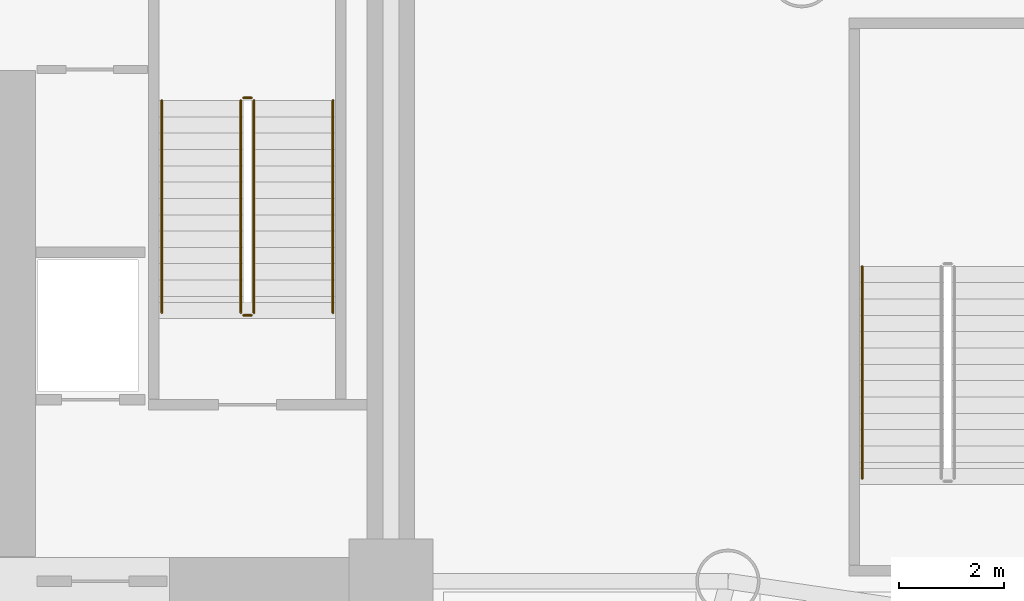
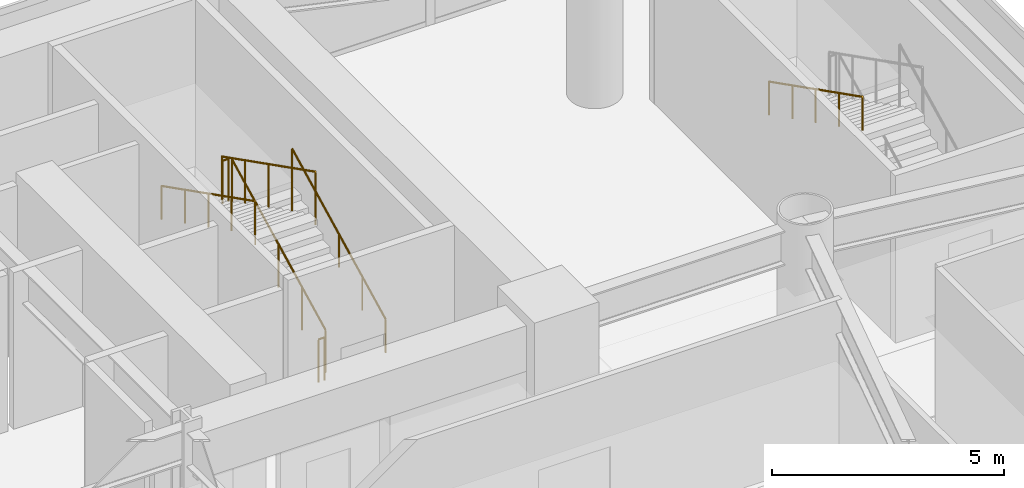
# One storey, part 22 of 24: 7 railings.
"""IFC4 building model written with IfcOpenShell, lengths in metres."""

from ifc_helpers import new_model, si_unit, direction, frame, origin, origin_2d, place, context, subcontext, project, spatial, circle, extrude, material, type_object, element, save


model = new_model("IFC4")

# Units and contexts
model_context = context("Model", 3, precision=1e-05, world=origin(), true_north=direction((0.0, 1.0)))
body_context = subcontext(model_context, "Body", "Model", "MODEL_VIEW")
ifc_project = project(units=[si_unit("LENGTHUNIT", "METRE"), si_unit("AREAUNIT", "SQUARE_METRE"), si_unit("VOLUMEUNIT", "CUBIC_METRE"), si_unit("PLANEANGLEUNIT", "RADIAN"), si_unit("MASSUNIT", "GRAM", prefix="KILO")], contexts=[model_context])

# Site, building, storey
site_placement = place(None, origin())
site = spatial("IfcSite", under=ifc_project, at=site_placement, CompositionType="ELEMENT")
building_placement = place(site_placement, origin())
building = spatial("IfcBuilding", under=site, at=building_placement, Name="Vaeldorn Concourse Tower", CompositionType="ELEMENT")
storey_placement = place(building_placement, frame((0.0, 0.0, 10.0)))
storey = spatial("IfcBuildingStorey", under=building, at=storey_placement, Name="L02", CompositionType="ELEMENT", Elevation=10.0)

# Railings
ifc_material = material(Name="Anodised Bronze Aluminium", Category="aluminium")
railing_type_1 = type_object("IfcRailingType", Name="RL-STAIR-GUARD", PredefinedType="GUARDRAIL", material=ifc_material)
railing_1_placement = place(storey_placement, frame((51.39990234375, 41.60009765625, 0.1572265625)))
element("IfcRailing", 1, at=railing_1_placement, inside=storey, type_object=railing_type_1, Name="L02 ST-2 stair guard 1", PredefinedType="GUARDRAIL", context=body_context, shape_type="SweptSolid", body=[
    extrude(circle(Radius=0.02392578125, at=origin_2d()), frame((0.0, 0.0, 1.1259765625), z_axis=(0.0, 0.891949485669, 0.452135062801), x_axis=(-1.0, 0.0, 0.0)), (0.0, 0.0, 1.0), 4.51806640625),
    extrude(circle(Radius=0.02099609375, at=origin_2d()), origin(), (0.0, 0.0, 1.0), 1.101806640625),
    extrude(circle(Radius=0.02099609375, at=origin_2d()), frame((0.0, 1.00732421875, 0.5107421875)), (0.0, 0.0, 1.0), 1.101806640625),
    extrude(circle(Radius=0.02099609375, at=origin_2d()), frame((0.0, 2.014892578125, 1.021484375)), (0.0, 0.0, 1.0), 1.101806640625),
    extrude(circle(Radius=0.02099609375, at=origin_2d()), frame((0.0, 3.0224609375, 1.531982421875)), (0.0, 0.0, 1.0), 1.101806640625),
    extrude(circle(Radius=0.02099609375, at=origin_2d()), frame((0.0, 4.02978515625, 2.042724609375)), (0.0, 0.0, 1.0), 1.101806640625),
])
railing_2_placement = place(storey_placement, frame((51.35009765625, 45.679931640625, 2.199951171875)))
element("IfcRailing", 2, at=railing_2_placement, inside=storey, type_object=railing_type_1, Name="L02 ST-2 stair guard 2", PredefinedType="GUARDRAIL", context=body_context, shape_type="SweptSolid", body=[
    extrude(circle(Radius=0.02392578125, at=origin_2d()), frame((0.0, 0.0, 1.1259765625), z_axis=(-1.0, 0.0, 0.0), x_axis=(0.0, -1.0, 0.0)), (0.0, 0.0, 1.0), 0.150146484375),
    extrude(circle(Radius=0.02099609375, at=origin_2d()), origin(), (0.0, 0.0, 1.0), 1.101806640625),
    extrude(circle(Radius=0.02099609375, at=origin_2d()), frame((-0.150146484375, 0.0, 0.0)), (0.0, 0.0, 1.0), 1.101806640625),
])
railing_3_placement = place(storey_placement, frame((51.14990234375, 45.6298828125, 2.357177734375)))
element("IfcRailing", 3, at=railing_3_placement, inside=storey, type_object=railing_type_1, Name="L02 ST-2 stair guard 3", PredefinedType="GUARDRAIL", context=body_context, shape_type="SweptSolid", body=[
    extrude(circle(Radius=0.02392578125, at=origin_2d()), frame((0.0, 0.0, 1.1259765625), z_axis=(0.0, -0.891949485669, 0.452135062801), x_axis=(1.0, 0.0, 0.0)), (0.0, 0.0, 1.0), 4.51806640625),
    extrude(circle(Radius=0.02099609375, at=origin_2d()), origin(), (0.0, 0.0, 1.0), 1.101806640625),
    extrude(circle(Radius=0.02099609375, at=origin_2d()), frame((0.0, -1.00732421875, 0.5107421875)), (0.0, 0.0, 1.0), 1.101806640625),
    extrude(circle(Radius=0.02099609375, at=origin_2d()), frame((0.0, -2.014892578125, 1.021484375)), (0.0, 0.0, 1.0), 1.101806640625),
    extrude(circle(Radius=0.02099609375, at=origin_2d()), frame((0.0, -3.0224609375, 1.531982421875)), (0.0, 0.0, 1.0), 1.101806640625),
    extrude(circle(Radius=0.02099609375, at=origin_2d()), frame((0.0, -4.02978515625, 2.042724609375)), (0.0, 0.0, 1.0), 1.101806640625),
])
railing_4_placement = place(storey_placement, frame((51.35009765625, 41.550048828125, 0.0)))
element("IfcRailing", 4, at=railing_4_placement, inside=storey, type_object=railing_type_1, Name="L02 ST-2 stair guard 4", PredefinedType="GUARDRAIL", context=body_context, shape_type="SweptSolid", body=[
    extrude(circle(Radius=0.02392578125, at=origin_2d()), frame((0.0, 0.0, 1.1259765625), z_axis=(-1.0, 0.0, 0.0), x_axis=(0.0, -1.0, 0.0)), (0.0, 0.0, 1.0), 0.150146484375),
    extrude(circle(Radius=0.02099609375, at=origin_2d()), origin(), (0.0, 0.0, 1.0), 1.101806640625),
    extrude(circle(Radius=0.02099609375, at=origin_2d()), frame((-0.150146484375, 0.0, 0.0)), (0.0, 0.0, 1.0), 1.101806640625),
])
railing_type_2 = type_object("IfcRailingType", Name="RL-STAIR-HANDRAIL", PredefinedType="HANDRAIL", material=ifc_material)
railing_5_placement = place(storey_placement, frame((52.89990234375, 41.60009765625, 0.1572265625)))
element("IfcRailing", 5, at=railing_5_placement, inside=storey, type_object=railing_type_2, Name="L02 ST-2 stair handrail 1", PredefinedType="HANDRAIL", context=body_context, shape_type="SweptSolid", body=[
    extrude(circle(Radius=0.02392578125, at=origin_2d()), frame((0.0, 0.0, 0.8759765625), z_axis=(0.0, 0.891949485669, 0.452135062801), x_axis=(-1.0, 0.0, 0.0)), (0.0, 0.0, 1.0), 4.51806640625),
    extrude(circle(Radius=0.02099609375, at=origin_2d()), origin(), (0.0, 0.0, 1.0), 0.851806640625),
    extrude(circle(Radius=0.02099609375, at=origin_2d()), frame((0.0, 1.00732421875, 0.5107421875)), (0.0, 0.0, 1.0), 0.851806640625),
    extrude(circle(Radius=0.02099609375, at=origin_2d()), frame((0.0, 2.014892578125, 1.021484375)), (0.0, 0.0, 1.0), 0.851806640625),
    extrude(circle(Radius=0.02099609375, at=origin_2d()), frame((0.0, 3.0224609375, 1.531982421875)), (0.0, 0.0, 1.0), 0.851806640625),
    extrude(circle(Radius=0.02099609375, at=origin_2d()), frame((0.0, 4.02978515625, 2.042724609375)), (0.0, 0.0, 1.0), 0.851806640625),
])
railing_6_placement = place(storey_placement, frame((49.64990234375, 45.6298828125, 2.357177734375)))
element("IfcRailing", 6, at=railing_6_placement, inside=storey, type_object=railing_type_2, Name="L02 ST-2 stair handrail 2", PredefinedType="HANDRAIL", context=body_context, shape_type="SweptSolid", body=[
    extrude(circle(Radius=0.02392578125, at=origin_2d()), frame((0.0, 0.0, 0.8759765625), z_axis=(0.0, -0.891949485669, 0.452135062801), x_axis=(1.0, 0.0, 0.0)), (0.0, 0.0, 1.0), 4.51806640625),
    extrude(circle(Radius=0.02099609375, at=origin_2d()), origin(), (0.0, 0.0, 1.0), 0.851806640625),
    extrude(circle(Radius=0.02099609375, at=origin_2d()), frame((0.0, -1.00732421875, 0.5107421875)), (0.0, 0.0, 1.0), 0.851806640625),
    extrude(circle(Radius=0.02099609375, at=origin_2d()), frame((0.0, -2.014892578125, 1.021484375)), (0.0, 0.0, 1.0), 0.851806640625),
    extrude(circle(Radius=0.02099609375, at=origin_2d()), frame((0.0, -3.0224609375, 1.531982421875)), (0.0, 0.0, 1.0), 0.851806640625),
    extrude(circle(Radius=0.02099609375, at=origin_2d()), frame((0.0, -4.02978515625, 2.042724609375)), (0.0, 0.0, 1.0), 0.851806640625),
])
railing_7_placement = place(storey_placement, frame((62.949951171875, 42.47998046875, 2.357177734375)))
element("IfcRailing", 7, at=railing_7_placement, inside=storey, type_object=railing_type_2, Name="L02 ST-4 stair handrail 2", PredefinedType="HANDRAIL", context=body_context, shape_type="SweptSolid", body=[
    extrude(circle(Radius=0.02392578125, at=origin_2d()), frame((0.0, 0.0, 0.8759765625), z_axis=(0.0, -0.891960531628, 0.452113271226), x_axis=(1.0, 0.0, 0.0)), (0.0, 0.0, 1.0), 4.51806640625),
    extrude(circle(Radius=0.02099609375, at=origin_2d()), origin(), (0.0, 0.0, 1.0), 0.851806640625),
    extrude(circle(Radius=0.02099609375, at=origin_2d()), frame((0.0, -1.007568359375, 0.5107421875)), (0.0, 0.0, 1.0), 0.851806640625),
    extrude(circle(Radius=0.02099609375, at=origin_2d()), frame((0.0, -2.01513671875, 1.021484375)), (0.0, 0.0, 1.0), 0.851806640625),
    extrude(circle(Radius=0.02099609375, at=origin_2d()), frame((0.0, -3.0224609375, 1.531982421875)), (0.0, 0.0, 1.0), 0.851806640625),
    extrude(circle(Radius=0.02099609375, at=origin_2d()), frame((0.0, -4.030029296875, 2.042724609375)), (0.0, 0.0, 1.0), 0.851806640625),
])

save(model, "model.ifc")
